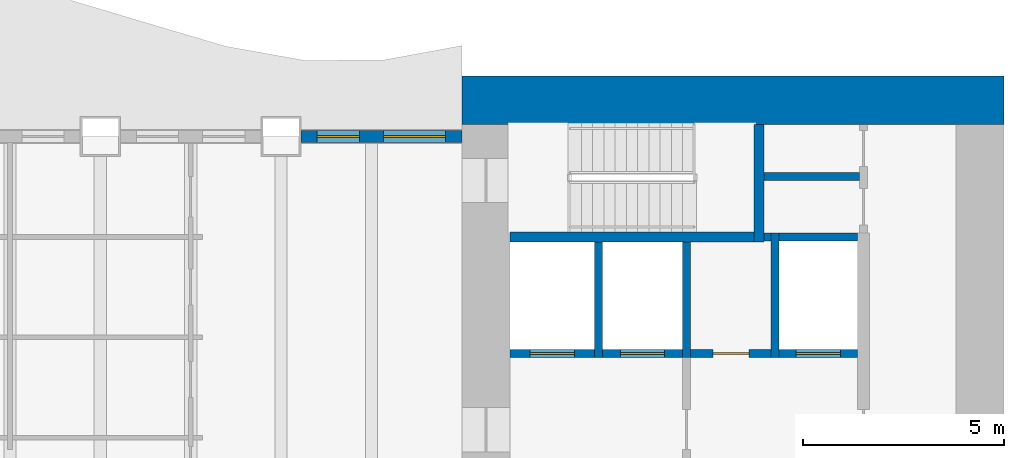
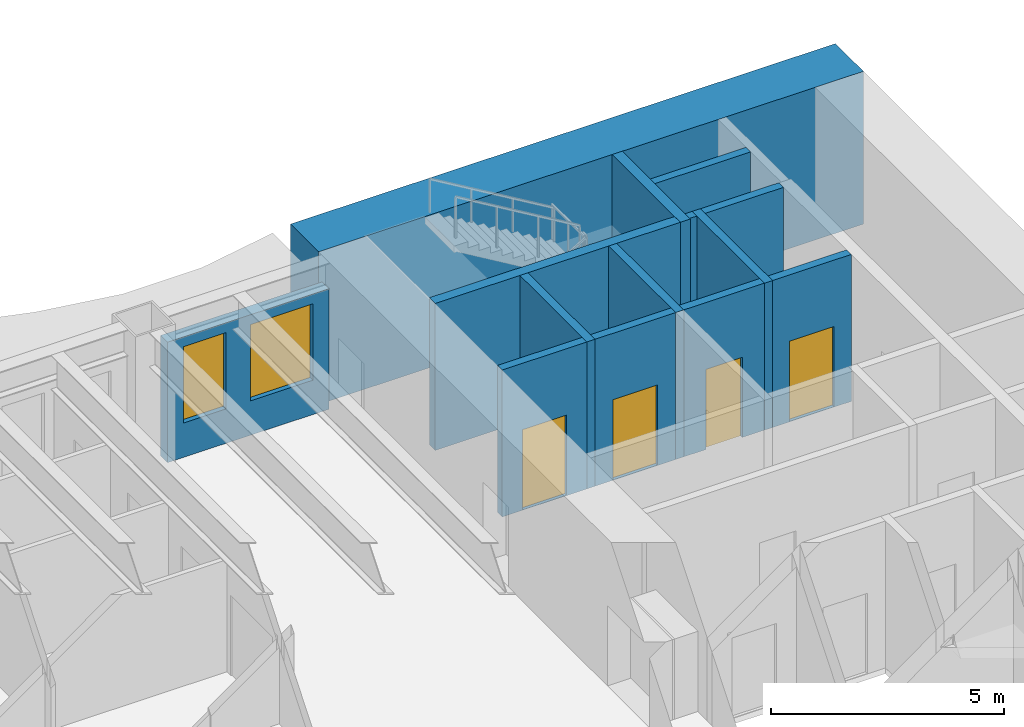
# One storey, part 7 of 16: 14 walls, 4 doors, 2 windows, 6 openings.
"""IFC4 building model written with IfcOpenShell, lengths in metres."""

from ifc_helpers import new_model, si_unit, direction, frame, frame_2d, origin, place, context, subcontext, project, spatial, rectangle, extrude, material, layer, layer_set, type_object, element, fill, save


model = new_model("IFC4")

# Units and contexts
model_context = context("Model", 3, precision=1e-05, world=origin(), true_north=direction((0.0, 1.0)))
body_context = subcontext(model_context, "Body", "Model", "MODEL_VIEW")
ifc_project = project(units=[si_unit("LENGTHUNIT", "METRE"), si_unit("AREAUNIT", "SQUARE_METRE"), si_unit("VOLUMEUNIT", "CUBIC_METRE"), si_unit("PLANEANGLEUNIT", "RADIAN"), si_unit("MASSUNIT", "GRAM", prefix="KILO")], contexts=[model_context])

# Site, building, storey
site_placement = place(None, origin())
site = spatial("IfcSite", under=ifc_project, at=site_placement, CompositionType="ELEMENT")
building_placement = place(site_placement, origin())
building = spatial("IfcBuilding", under=site, at=building_placement, Name="Sennacour Bend Tower", CompositionType="ELEMENT")
storey_placement = place(building_placement, frame((0.0, 0.0, 123.0)))
storey = spatial("IfcBuildingStorey", under=building, at=storey_placement, Name="L28", CompositionType="ELEMENT", Elevation=123.0)

# Wall
ifc_material_1 = material(Name="Concrete C80/95", Category="concrete")
ifc_layer_1 = layer(ifc_material_1, 1.199951171875, Name="Concrete C80/95", Category="concrete")
ifc_layer_set_1 = layer_set([ifc_layer_1], Name="Concrete C80/95")
wall_type_1 = type_object("IfcWallType", Name="Core wall 1200 C80/95", PredefinedType="SHEAR", material=ifc_layer_set_1)
wall_1_placement = place(storey_placement, frame((54.0, 21.89990234375, -0.14990234375), z_axis=(0.0, 0.0, 1.0), x_axis=(1.0, 0.0, 0.0)))
element("IfcWall", 1, at=wall_1_placement, inside=storey, type_object=wall_type_1, Name="Core A wall L28 N", PredefinedType="SHEAR", context=body_context, shape_type="SweptSolid", body=[
    extrude(rectangle(XDim=13.5, YDim=1.199951171875, at=frame_2d((6.75, 0.0))), origin(), (0.0, 0.0, 1.0), 4.0),
])

# Wall, opening, door
ifc_material_2 = material(Name="Fire-rated plasterboard partition on steel studs", Category="steel")
ifc_layer_2 = layer(ifc_material_2, 0.199951171875, Name="Fire-rated plasterboard partition on steel studs", Category="steel")
ifc_layer_set_2 = layer_set([ifc_layer_2], Name="Fire-rated plasterboard partition on steel studs")
wall_type_2 = type_object("IfcWallType", Name="Rated partition 200", PredefinedType="PARTITIONING", material=ifc_layer_set_2)
wall_2_placement = place(storey_placement, frame((59.699951171875, 15.60009765625, 0.0), z_axis=(0.0, 0.0, 1.0), x_axis=(1.0, 0.0, 0.0)))
wall_2 = element("IfcWall", 2, at=wall_2_placement, inside=storey, type_object=wall_type_2, Name="P-L28-W062", PredefinedType="PARTITIONING", context=body_context, shape_type="SweptSolid", body=[
    extrude(rectangle(XDim=2.0, YDim=0.199951171875, at=frame_2d((1.0, 0.0))), origin(), (0.0, 0.0, 1.0), 3.85009765625),
])
opening_1_placement = place(wall_2_placement, frame((0.550048828125, 0.0, 0.0)))
opening_1 = element("IfcOpeningElement", 3, at=opening_1_placement, cuts=wall_2, Name="Opening SV", PredefinedType="OPENING", context=body_context, shape_type="SweptSolid", body=[
    extrude(rectangle(XDim=0.89990234375, YDim=2.10009765625, at=frame_2d((0.449951171875, 1.050048828125))), frame((0.0, 0.10986328125, 0.0), z_axis=(0.0, -1.0, 0.0), x_axis=(1.0, 0.0, 0.0)), (0.0, 0.0, 1.0), 0.219970703125),
])
ifc_material_3 = material(Name="Painted steel", Category="steel")
door_type_1 = type_object("IfcDoorType", Name="DR-SERVICE-900", OperationType="NOTDEFINED", PredefinedType="DOOR", material=ifc_material_3)
door_1_placement = place(opening_1_placement, origin())
door_1 = element("IfcDoor", 4, at=door_1_placement, inside=storey, type_object=door_type_1, Name="Door", OperationType="SINGLE_SWING_RIGHT", OverallHeight=2.10009765625, OverallWidth=0.89990234375, PredefinedType="DOOR", context=body_context, shape_type="SweptSolid", body=[
    extrude(rectangle(XDim=0.89990234375, YDim=2.10009765625, at=frame_2d((0.449951171875, 1.050048828125))), frame((0.0, 0.02490234375, 0.0), z_axis=(0.0, -1.0, 0.0), x_axis=(1.0, 0.0, 0.0)), (0.0, 0.0, 1.0), 0.050048828125),
])
fill(opening_1, door_1)

# Walls
wall_3_placement = place(storey_placement, frame((61.52490234375, 18.5, 0.0), z_axis=(0.0, 0.0, 1.0), x_axis=(1.0, 0.0, 0.0)))
element("IfcWall", 5, at=wall_3_placement, inside=storey, type_object=wall_type_2, Name="P-L28-W067", PredefinedType="PARTITIONING", context=body_context, shape_type="SweptSolid", body=[
    extrude(rectangle(XDim=0.175048828125, YDim=0.199951171875, at=frame_2d((0.08740234375, 0.0))), origin(), (0.0, 0.0, 1.0), 3.85009765625),
])
wall_4_placement = place(storey_placement, frame((61.52490234375, 20.0, 0.0), z_axis=(0.0, 0.0, 1.0), x_axis=(1.0, 0.0, 0.0)))
element("IfcWall", 6, at=wall_4_placement, inside=storey, type_object=wall_type_2, Name="P-L28-W069", PredefinedType="PARTITIONING", context=body_context, shape_type="SweptSolid", body=[
    extrude(rectangle(XDim=2.375, YDim=0.199951171875, at=frame_2d((1.1875, 0.0))), origin(), (0.0, 0.0, 1.0), 3.85009765625),
])

# Wall, openings, windows
ifc_material_4 = material(Name="Warm limestone cladding", Category="masonry")
ifc_layer_3 = layer(ifc_material_4, 0.050048828125, Name="Warm limestone cladding", Category="masonry")
ifc_material_5 = material(Name="Precast concrete C40/50", Category="concrete")
ifc_layer_4 = layer(ifc_material_5, 0.25, Name="Precast concrete C40/50", Category="concrete")
ifc_layer_set_3 = layer_set([ifc_layer_3, ifc_layer_4], Name="Precast concrete C40/50 with limestone cladding")
wall_type_3 = type_object("IfcWallType", Name="STONE-CLAD PRECAST SPANDREL 300", PredefinedType="STANDARD", material=ifc_layer_set_3)
wall_5_placement = place(storey_placement, frame((54.0, 21.0, 0.0), z_axis=(0.0, 0.0, 1.0), x_axis=(-1.0, 0.0, 0.0)))
wall_5 = element("IfcWall", 7, at=wall_5_placement, inside=storey, type_object=wall_type_3, Name="Stone spandrel and pier wall L28 06.00", PredefinedType="STANDARD", context=body_context, shape_type="SweptSolid", body=[
    extrude(rectangle(XDim=4.0, YDim=0.300048828125, at=frame_2d((2.0, 0.0))), origin(), (0.0, 0.0, 1.0), 3.154052734375),
])
opening_2_placement = place(wall_5_placement, frame((0.39990234375, 0.0, 0.89990234375)))
opening_2 = element("IfcOpeningElement", 8, at=opening_2_placement, cuts=wall_5, Name="Opening W9", PredefinedType="OPENING", context=body_context, shape_type="SweptSolid", body=[
    extrude(rectangle(XDim=1.550048828125, YDim=2.0, at=frame_2d((0.77490234375, 1.0))), frame((0.0, 0.16015625, 0.0), z_axis=(0.0, -1.0, 0.0), x_axis=(1.0, 0.0, 0.0)), (0.0, 0.0, 1.0), 0.320068359375),
])
opening_3_placement = place(wall_5_placement, frame((2.550048828125, 0.0, 0.89990234375)))
opening_3 = element("IfcOpeningElement", 9, at=opening_3_placement, cuts=wall_5, Name="Opening W13", PredefinedType="OPENING", context=body_context, shape_type="SweptSolid", body=[
    extrude(rectangle(XDim=1.050048828125, YDim=2.0, at=frame_2d((0.52490234375, 1.0))), frame((0.0, 0.16015625, 0.0), z_axis=(0.0, -1.0, 0.0), x_axis=(1.0, 0.0, 0.0)), (0.0, 0.0, 1.0), 0.320068359375),
])
ifc_material_6 = material(Name="Clear low-emissivity glass", Category="glass")
window_type_1 = type_object("IfcWindowType", Name="WIN-RIBBON-1050x2000", PartitioningType="SINGLE_PANEL", PredefinedType="WINDOW", material=ifc_material_6)
window_1_placement = place(opening_3_placement, origin())
window_1 = element("IfcWindow", 10, at=window_1_placement, inside=storey, type_object=window_type_1, Name="Ribbon window L28 06.00.1", OverallHeight=2.0, OverallWidth=1.050048828125, PartitioningType="SINGLE_PANEL", PredefinedType="WINDOW", context=body_context, shape_type="SweptSolid", body=[
    extrude(rectangle(XDim=1.050048828125, YDim=2.0, at=frame_2d((0.52490234375, 1.0))), frame((0.0, 0.030029296875, 0.0), z_axis=(0.0, -1.0, 0.0), x_axis=(1.0, 0.0, 0.0)), (0.0, 0.0, 1.0), 0.06005859375),
])
fill(opening_3, window_1)
window_type_2 = type_object("IfcWindowType", Name="WIN-RIBBON-1550x2000", PartitioningType="SINGLE_PANEL", PredefinedType="WINDOW", material=ifc_material_6)
window_2_placement = place(opening_2_placement, origin())
window_2 = element("IfcWindow", 11, at=window_2_placement, inside=storey, type_object=window_type_2, Name="Ribbon window L28 06.00.0", OverallHeight=2.0, OverallWidth=1.550048828125, PartitioningType="SINGLE_PANEL", PredefinedType="WINDOW", context=body_context, shape_type="SweptSolid", body=[
    extrude(rectangle(XDim=1.550048828125, YDim=2.0, at=frame_2d((0.77490234375, 1.0))), frame((0.0, 0.030029296875, 0.0), z_axis=(0.0, -1.0, 0.0), x_axis=(1.0, 0.0, 0.0)), (0.0, 0.0, 1.0), 0.06005859375),
])
fill(opening_2, window_2)

# Walls
ifc_material_7 = material(Name="Concrete C50/60", Category="concrete")
ifc_layer_5 = layer(ifc_material_7, 0.199951171875, Name="Concrete C50/60", Category="concrete")
ifc_layer_set_4 = layer_set([ifc_layer_5], Name="Concrete C50/60")
wall_type_4 = type_object("IfcWallType", Name="Shaft wall 200", PredefinedType="SOLIDWALL", material=ifc_layer_set_4)
for number, where, z_axis, x_axis, name in (
    (12, (57.39990234375, 15.5, 0.0), (0.0, 0.0, 1.0), (0.0, 1.0, 0.0), "P-L28-W036"),
    (13, (59.60009765625, 15.5, 0.0), (0.0, 0.0, 1.0), (0.0, 1.0, 0.0), "P-L28-W039"),
):
    element("IfcWall", number, at=place(storey_placement, frame(where, z_axis=z_axis, x_axis=x_axis)), inside=storey, type_object=wall_type_4, Name=name, PredefinedType="SOLIDWALL", context=body_context, shape_type="SweptSolid", body=[
        extrude(rectangle(XDim=2.875, YDim=0.199951171875, at=frame_2d((1.4375, 0.0))), origin(), (0.0, 0.0, 1.0), 3.85009765625),
    ])
wall_6_placement = place(storey_placement, frame((61.800048828125, 15.5, 0.0), z_axis=(0.0, 0.0, 1.0), x_axis=(0.0, 1.0, 0.0)))
element("IfcWall", 14, at=wall_6_placement, inside=storey, type_object=wall_type_4, Name="P-L28-W044", PredefinedType="SOLIDWALL", context=body_context, shape_type="SweptSolid", body=[
    extrude(rectangle(XDim=3.10009765625, YDim=0.199951171875, at=frame_2d((1.550048828125, 0.0))), origin(), (0.0, 0.0, 1.0), 3.85009765625),
])

# Wall, opening, door
wall_7_placement = place(storey_placement, frame((55.199951171875, 15.60009765625, 0.0), z_axis=(0.0, 0.0, 1.0), x_axis=(1.0, 0.0, 0.0)))
wall_7 = element("IfcWall", 15, at=wall_7_placement, inside=storey, type_object=wall_type_4, Name="P-L28-W061a", PredefinedType="SOLIDWALL", context=body_context, shape_type="SweptSolid", body=[
    extrude(rectangle(XDim=2.10009765625, YDim=0.199951171875, at=frame_2d((1.050048828125, 0.0))), origin(), (0.0, 0.0, 1.0), 3.85009765625),
])
opening_4_placement = place(wall_7_placement, frame((0.5, 0.0, 0.011962890625)))
opening_4 = element("IfcOpeningElement", 16, at=opening_4_placement, cuts=wall_7, Name="Opening FLD", PredefinedType="OPENING", context=body_context, shape_type="SweptSolid", body=[
    extrude(rectangle(XDim=1.10009765625, YDim=2.10009765625, at=frame_2d((0.550048828125, 1.050048828125))), frame((0.0, 0.10986328125, 0.0), z_axis=(0.0, -1.0, 0.0), x_axis=(1.0, 0.0, 0.0)), (0.0, 0.0, 1.0), 0.219970703125),
])
ifc_material_8 = material(Name="Stainless steel", Category="steel")
door_type_2 = type_object("IfcDoorType", Name="DR-FF-LANDING-1100", OperationType="NOTDEFINED", PredefinedType="DOOR", material=ifc_material_8)
door_2_placement = place(opening_4_placement, origin())
door_2 = element("IfcDoor", 17, at=door_2_placement, inside=storey, type_object=door_type_2, Name="Fire service lift landing door FA1", OperationType="SLIDING_TO_LEFT", OverallHeight=2.10009765625, OverallWidth=1.10009765625, PredefinedType="DOOR", context=body_context, shape_type="SweptSolid", body=[
    extrude(rectangle(XDim=1.10009765625, YDim=2.10009765625, at=frame_2d((0.550048828125, 1.050048828125))), frame((0.0, 0.02490234375, 0.0), z_axis=(0.0, -1.0, 0.0), x_axis=(1.0, 0.0, 0.0)), (0.0, 0.0, 1.0), 0.050048828125),
])
fill(opening_4, door_2)

wall_8_placement = place(storey_placement, frame((57.5, 15.60009765625, 0.0), z_axis=(0.0, 0.0, 1.0), x_axis=(1.0, 0.0, 0.0)))
wall_8 = element("IfcWall", 18, at=wall_8_placement, inside=storey, type_object=wall_type_4, Name="P-L28-W061b", PredefinedType="SOLIDWALL", context=body_context, shape_type="SweptSolid", body=[
    extrude(rectangle(XDim=2.0, YDim=0.199951171875, at=frame_2d((1.0, 0.0))), origin(), (0.0, 0.0, 1.0), 3.85009765625),
])
opening_5_placement = place(wall_8_placement, frame((0.449951171875, 0.0, 0.011962890625)))
opening_5 = element("IfcOpeningElement", 19, at=opening_5_placement, cuts=wall_8, Name="Opening FLD", PredefinedType="OPENING", context=body_context, shape_type="SweptSolid", body=[
    extrude(rectangle(XDim=1.10009765625, YDim=2.10009765625, at=frame_2d((0.550048828125, 1.050048828125))), frame((0.0, 0.10986328125, 0.0), z_axis=(0.0, -1.0, 0.0), x_axis=(1.0, 0.0, 0.0)), (0.0, 0.0, 1.0), 0.219970703125),
])
door_3_placement = place(opening_5_placement, origin())
door_3 = element("IfcDoor", 20, at=door_3_placement, inside=storey, type_object=door_type_2, Name="Fire service lift landing door FA2", OperationType="SLIDING_TO_RIGHT", OverallHeight=2.10009765625, OverallWidth=1.10009765625, PredefinedType="DOOR", context=body_context, shape_type="SweptSolid", body=[
    extrude(rectangle(XDim=1.10009765625, YDim=2.10009765625, at=frame_2d((0.550048828125, 1.050048828125))), frame((0.0, 0.02490234375, 0.0), z_axis=(0.0, -1.0, 0.0), x_axis=(1.0, 0.0, 0.0)), (0.0, 0.0, 1.0), 0.050048828125),
])
fill(opening_5, door_3)

wall_9_placement = place(storey_placement, frame((61.89990234375, 15.60009765625, 0.0), z_axis=(0.0, 0.0, 1.0), x_axis=(1.0, 0.0, 0.0)))
wall_9 = element("IfcWall", 21, at=wall_9_placement, inside=storey, type_object=wall_type_4, Name="P-L28-W063", PredefinedType="SOLIDWALL", context=body_context, shape_type="SweptSolid", body=[
    extrude(rectangle(XDim=1.9501953125, YDim=0.199951171875, at=frame_2d((0.97509765625, 0.0))), origin(), (0.0, 0.0, 1.0), 3.85009765625),
])
opening_6_placement = place(wall_9_placement, frame((0.425048828125, 0.0, 0.011962890625)))
opening_6 = element("IfcOpeningElement", 22, at=opening_6_placement, cuts=wall_9, Name="Opening LD", PredefinedType="OPENING", context=body_context, shape_type="SweptSolid", body=[
    extrude(rectangle(XDim=1.10009765625, YDim=2.10009765625, at=frame_2d((0.550048828125, 1.050048828125))), frame((0.0, 0.10986328125, 0.0), z_axis=(0.0, -1.0, 0.0), x_axis=(1.0, 0.0, 0.0)), (0.0, 0.0, 1.0), 0.219970703125),
])
door_type_3 = type_object("IfcDoorType", Name="DR-LANDING-1100", OperationType="NOTDEFINED", PredefinedType="DOOR", material=ifc_material_8)
door_4_placement = place(opening_6_placement, origin())
door_4 = element("IfcDoor", 23, at=door_4_placement, inside=storey, type_object=door_type_3, Name="Lift landing door LA5", OperationType="SLIDING_TO_LEFT", OverallHeight=2.10009765625, OverallWidth=1.10009765625, PredefinedType="DOOR", context=body_context, shape_type="SweptSolid", body=[
    extrude(rectangle(XDim=1.10009765625, YDim=2.10009765625, at=frame_2d((0.550048828125, 1.050048828125))), frame((0.0, 0.02490234375, 0.0), z_axis=(0.0, -1.0, 0.0), x_axis=(1.0, 0.0, 0.0)), (0.0, 0.0, 1.0), 0.050048828125),
])
fill(opening_6, door_4)

# Walls
wall_10_placement = place(storey_placement, frame((61.89990234375, 18.5, 0.0), z_axis=(0.0, 0.0, 1.0), x_axis=(1.0, 0.0, 0.0)))
element("IfcWall", 24, at=wall_10_placement, inside=storey, type_object=wall_type_4, Name="P-L28-W068", PredefinedType="SOLIDWALL", context=body_context, shape_type="SweptSolid", body=[
    extrude(rectangle(XDim=1.9501953125, YDim=0.199951171875, at=frame_2d((0.97509765625, 0.0))), origin(), (0.0, 0.0, 1.0), 3.85009765625),
])
ifc_material_9 = material(Name="Concrete C60/75", Category="concrete")
ifc_layer_6 = layer(ifc_material_9, 0.25, Name="Concrete C60/75", Category="concrete")
ifc_layer_set_5 = layer_set([ifc_layer_6], Name="Concrete C60/75")
wall_type_5 = type_object("IfcWallType", Name="Stair wall 250", PredefinedType="SHEAR", material=ifc_layer_set_5)
wall_11_placement = place(storey_placement, frame((61.39990234375, 18.375, 0.0), z_axis=(0.0, 0.0, 1.0), x_axis=(0.0, 1.0, 0.0)))
element("IfcWall", 25, at=wall_11_placement, inside=storey, type_object=wall_type_5, Name="P-L28-W041", PredefinedType="SHEAR", context=body_context, shape_type="SweptSolid", body=[
    extrude(rectangle(XDim=2.925048828125, YDim=0.25, at=frame_2d((1.46240234375, 0.0))), origin(), (0.0, 0.0, 1.0), 3.85009765625),
])
wall_12_placement = place(storey_placement, frame((55.199951171875, 18.5, 0.0), z_axis=(0.0, 0.0, 1.0), x_axis=(1.0, 0.0, 0.0)))
element("IfcWall", 26, at=wall_12_placement, inside=storey, type_object=wall_type_5, Name="P-L28-W066", PredefinedType="SHEAR", context=body_context, shape_type="SweptSolid", body=[
    extrude(rectangle(XDim=6.074951171875, YDim=0.25, at=frame_2d((3.03759765625, 0.0))), origin(), (0.0, 0.0, 1.0), 3.85009765625),
])

save(model, "model.ifc")
